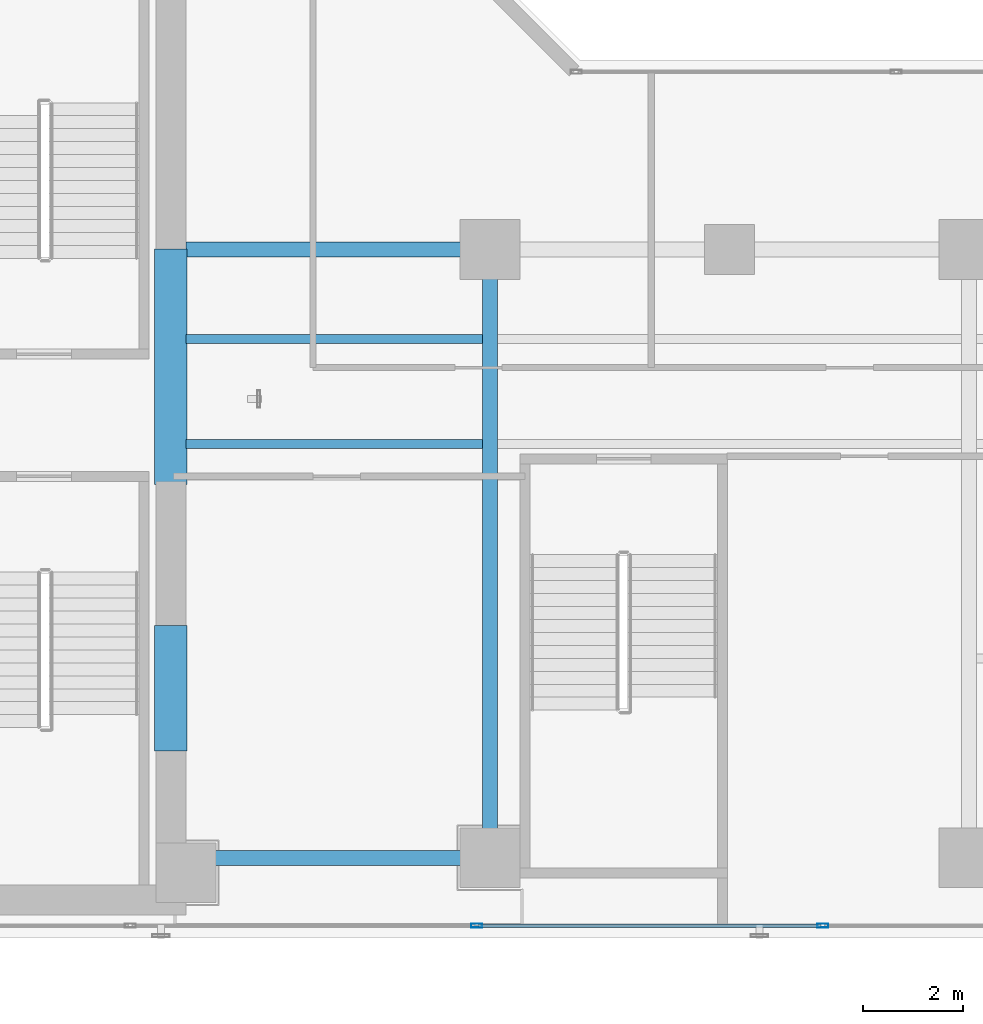
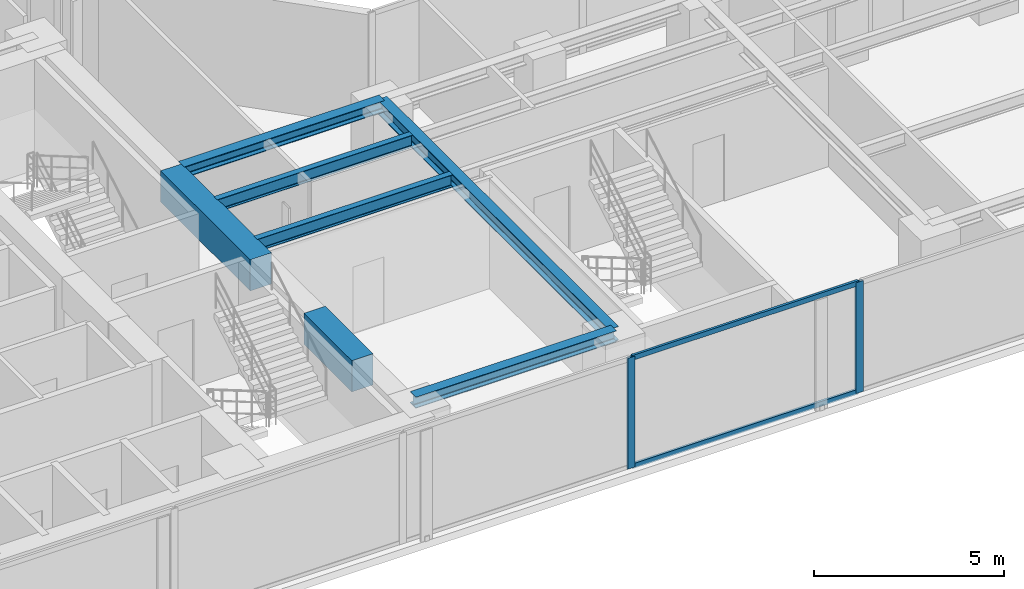
# One storey, part 4 of 26: 7 beams, 4 members, 1 element without a shape of its own.
"""IFC4 building model written with IfcOpenShell, lengths in metres."""

from ifc_helpers import new_model, si_unit, direction, frame, origin, origin_with_axes, origin_2d, place, context, subcontext, project, spatial, rectangle, hollow_rectangle, i_section, extrude, source, transform, mapped, material, layer, layer_set, material_profile, profile_set, type_object, element, aggregate, save


model = new_model("IFC4")

# Units and contexts
model_context = context("Model", 3, precision=1e-05, world=origin(), true_north=direction((0.0, 1.0)))
body_context = subcontext(model_context, "Body", "Model", "MODEL_VIEW")
ifc_project = project(units=[si_unit("LENGTHUNIT", "METRE"), si_unit("AREAUNIT", "SQUARE_METRE"), si_unit("VOLUMEUNIT", "CUBIC_METRE"), si_unit("PLANEANGLEUNIT", "RADIAN"), si_unit("MASSUNIT", "GRAM", prefix="KILO")], contexts=[model_context])

# Site, building, storey
site_placement = place(None, origin())
site = spatial("IfcSite", under=ifc_project, at=site_placement, CompositionType="ELEMENT")
building_placement = place(site_placement, origin())
building = spatial("IfcBuilding", under=site, at=building_placement, Name="Kolvaren Waterfront Exchange", CompositionType="ELEMENT")
storey_placement = place(building_placement, frame((0.0, 0.0, 180.39990234375)))
storey = spatial("IfcBuildingStorey", under=building, at=storey_placement, Name="L46", CompositionType="ELEMENT", Elevation=180.39990234375)

# Beams
ifc_material_1 = material(Name="Steel S355", Category="steel")
ifc_material_profile_1 = material_profile(ifc_material_1, i_section(OverallWidth=0.300048828125, OverallDepth=0.360107421875, WebThickness=0.012451171875, FlangeThickness=0.0224609375, FilletRadius=0.027099609375, at=origin_2d()), Name="HEB360")
ifc_profile_set_1 = profile_set([ifc_material_profile_1], Name="Steel S355")
beam_type_1 = type_object("IfcBeamType", Name="STR-BM-HEB360", PredefinedType="SPANDREL", material=ifc_profile_set_1)
for number, where, z_axis, x_axis, name in (
    (1, (21.10009765625, 5.199951171875, 3.380126953125), (1.0, 0.0, 0.0), (0.0, 1.0, 0.0), "L46 east-arm spandrel S1"),
    (2, (21.10009765625, 17.39990234375, 3.380126953125), (1.0, 0.0, 0.0), (0.0, 1.0, 0.0), "L46 east-arm spandrel N1"),
):
    element("IfcBeam", number, at=place(storey_placement, frame(where, z_axis=z_axis, x_axis=x_axis)), inside=storey, type_object=beam_type_1, Name=name, PredefinedType="SPANDREL", context=body_context, shape_type="SweptSolid", body=[
        extrude(i_section(OverallWidth=0.300048828125, OverallDepth=0.360107421875, WebThickness=0.012451171875, FlangeThickness=0.0224609375, FilletRadius=0.027099609375, at=origin_2d()), origin(), (0.0, 0.0, 1.0), 6.099853515625),
    ])
ifc_material_profile_2 = material_profile(ifc_material_1, i_section(OverallWidth=0.300048828125, OverallDepth=0.449951171875, WebThickness=0.013916015625, FlangeThickness=0.02587890625, FilletRadius=0.027099609375, at=origin_2d()), Name="HEB450")
ifc_profile_set_2 = profile_set([ifc_material_profile_2], Name="Steel S355")
beam_type_2 = type_object("IfcBeamType", Name="STR-BM-HEB450", PredefinedType="BEAM", material=ifc_profile_set_2)
beam_1_placement = place(storey_placement, frame((27.199951171875, 5.199951171875, 3.335205078125), z_axis=(0.0, 1.0, 0.0), x_axis=(-1.0, 0.0, 0.0)))
element("IfcBeam", 3, at=beam_1_placement, inside=storey, type_object=beam_type_2, Name="L46 east-arm transverse girder X27", PredefinedType="BEAM", context=body_context, shape_type="SweptSolid", body=[
    extrude(i_section(OverallWidth=0.300048828125, OverallDepth=0.449951171875, WebThickness=0.013916015625, FlangeThickness=0.02587890625, FilletRadius=0.027099609375, at=origin_2d()), origin(), (0.0, 0.0, 1.0), 12.199951171875),
])
ifc_material_profile_3 = material_profile(ifc_material_1, i_section(OverallWidth=0.179931640625, OverallDepth=0.39990234375, WebThickness=0.008544921875, FlangeThickness=0.013427734375, FilletRadius=0.02099609375, at=origin_2d()), Name="IPE400")
ifc_profile_set_3 = profile_set([ifc_material_profile_3], Name="Steel S355")
beam_type_3 = type_object("IfcBeamType", Name="STR-BM-IPE400", PredefinedType="JOIST", material=ifc_profile_set_3)
for number, where, z_axis, x_axis, name in (
    (4, (21.10009765625, 13.5, 3.360107421875), (1.0, 0.0, 0.0), (0.0, 1.0, 0.0), "L46 east-arm composite joist 1A"),
    (5, (21.10009765625, 15.60009765625, 3.360107421875), (1.0, 0.0, 0.0), (0.0, 1.0, 0.0), "L46 east-arm composite joist 1C"),
):
    element("IfcBeam", number, at=place(storey_placement, frame(where, z_axis=z_axis, x_axis=x_axis)), inside=storey, type_object=beam_type_3, Name=name, PredefinedType="JOIST", context=body_context, shape_type="SweptSolid", body=[
        extrude(i_section(OverallWidth=0.179931640625, OverallDepth=0.39990234375, WebThickness=0.008544921875, FlangeThickness=0.013427734375, FilletRadius=0.02099609375, at=origin_2d()), origin(), (0.0, 0.0, 1.0), 5.947998046875),
    ])
ifc_material_2 = material(Name="Concrete C60/75", Category="concrete")
ifc_material_profile_4 = material_profile(ifc_material_2, rectangle(XDim=0.64990234375, YDim=1.0, at=origin_2d()), Name="RC-CB-1000x650")
ifc_profile_set_4 = profile_set([ifc_material_profile_4], Name="Concrete C60/75")
beam_type_4 = type_object("IfcBeamType", Name="STR-CB-1000", PredefinedType="SPANDREL", material=ifc_profile_set_4)
beam_2_placement = place(storey_placement, frame((20.800048828125, 7.340087890625, 3.06005859375), z_axis=(0.0, 1.0, 0.0), x_axis=(-1.0, 0.0, 0.0)))
element("IfcBeam", 6, at=beam_2_placement, inside=storey, type_object=beam_type_4, Name="L46 core coupling beam 1", PredefinedType="SPANDREL", context=body_context, shape_type="SweptSolid", body=[
    extrude(rectangle(XDim=0.64990234375, YDim=1.0, at=origin_2d()), origin(), (0.0, 0.0, 1.0), 2.52001953125),
])
beam_3_placement = place(storey_placement, frame((20.800048828125, 12.68994140625, 3.06005859375), z_axis=(0.0, 1.0, 0.0), x_axis=(-1.0, 0.0, 0.0)))
element("IfcBeam", 7, at=beam_3_placement, inside=storey, type_object=beam_type_4, Name="L46 core coupling beam 2", PredefinedType="SPANDREL", context=body_context, shape_type="SweptSolid", body=[
    extrude(rectangle(XDim=0.64990234375, YDim=1.0, at=origin_2d()), origin(), (0.0, 0.0, 1.0), 4.719970703125),
])

# Curtain wall, members
ifc_material_3 = material(Name="Anodised bronze aluminium 6063-T6", Category="aluminium")
ifc_layer = layer(ifc_material_3, 0.219970703125, Name="Anodised bronze aluminium 6063-T6")
ifc_layer_set = layer_set([ifc_layer], Name="Anodised bronze aluminium 6063-T6")
curtain_wall_type = type_object("IfcCurtainWallType", Name="ARC-CW-SYS1", PredefinedType="USERDEFINED", material=ifc_layer_set)
curtain_wall_placement = place(storey_placement, origin())
curtain_wall = element("IfcCurtainWall", 8, at=curtain_wall_placement, inside=storey, type_object=curtain_wall_type, Name="L46 stick curtain wall CW1 (CW-L46-S)", ObjectType="STICK CURTAIN WALL", PredefinedType="USERDEFINED")
ifc_material_4 = material(Name="Anodised aluminium 6063-T6", Category="aluminium")
ifc_material_profile_5 = material_profile(ifc_material_4, hollow_rectangle(XDim=0.080078125, YDim=0.219970703125, WallThickness=0.0048828125, at=origin_2d()), Name="ALU-MUL-220x80x5")
ifc_profile_set_5 = profile_set([ifc_material_profile_5], Name="Anodised aluminium 6063-T6")
member_type_1 = type_object("IfcMemberType", Name="ARC-CWM-220", PredefinedType="MULLION", material=ifc_profile_set_5)
shared_shape_1 = source(origin_with_axes(), body_context, "Body", "SweptSolid", [
    extrude(hollow_rectangle(XDim=0.080078125, YDim=0.219970703125, WallThickness=0.0048828125, at=origin_2d()), origin(), (0.0, 0.0, 1.0), 3.56005859375),
])
member_1_placement = place(storey_placement, frame((26.928466796875, 3.840087890625, 0.0), z_axis=(0.0, 0.0, 1.0), x_axis=(0.0, 1.0, 0.0)))
member_1 = element("IfcMember", 9, at=member_1_placement, type_object=member_type_1, Name="CW1 mullion 4", PredefinedType="MULLION", context=body_context, shape_type="MappedRepresentation", body=[
    mapped(shared_shape_1, transform((0.0, 0.0, 0.0), x_axis=(1.0, 0.0, 0.0), y_axis=(0.0, 1.0, 0.0), z_axis=(0.0, 0.0, 1.0), scale=1.0)),
])
member_2_placement = place(storey_placement, frame((33.871337890625, 3.840087890625, 0.0), z_axis=(0.0, 0.0, 1.0), x_axis=(0.0, 1.0, 0.0)))
member_2 = element("IfcMember", 10, at=member_2_placement, type_object=member_type_1, Name="CW1 mullion 5", PredefinedType="MULLION", context=body_context, shape_type="MappedRepresentation", body=[
    mapped(shared_shape_1, transform((0.0, 0.0, 0.0), x_axis=(1.0, 0.0, 0.0), y_axis=(0.0, 1.0, 0.0), z_axis=(0.0, 0.0, 1.0), scale=1.0)),
])
ifc_material_profile_6 = material_profile(ifc_material_4, hollow_rectangle(XDim=0.074951171875, YDim=0.159912109375, WallThickness=0.00439453125, at=origin_2d()), Name="ALU-TRN-160x75x4.5")
ifc_profile_set_6 = profile_set([ifc_material_profile_6], Name="Anodised aluminium 6063-T6")
member_type_2 = type_object("IfcMemberType", Name="ARC-CWT-160", PredefinedType="USERDEFINED", material=ifc_profile_set_6)
shared_shape_2 = source(origin_with_axes(), body_context, "Body", "SweptSolid", [
    extrude(hollow_rectangle(XDim=0.074951171875, YDim=0.159912109375, WallThickness=0.00439453125, at=origin_2d()), origin(), (0.0, 0.0, 1.0), 6.863037109375),
])
member_3_placement = place(storey_placement, frame((26.968505859375, 3.840087890625, 0.03759765625), z_axis=(1.0, 0.0, 0.0), x_axis=(0.0, 1.0, 0.0)))
member_3 = element("IfcMember", 11, at=member_3_placement, type_object=member_type_2, Name="CW1 transom 4.1", ObjectType="TRANSOM", PredefinedType="USERDEFINED", context=body_context, shape_type="MappedRepresentation", body=[
    mapped(shared_shape_2, transform((0.0, 0.0, 0.0), x_axis=(1.0, 0.0, 0.0), y_axis=(0.0, 1.0, 0.0), z_axis=(0.0, 0.0, 1.0), scale=1.0)),
])
member_4_placement = place(storey_placement, frame((26.968505859375, 3.840087890625, 3.522705078125), z_axis=(1.0, 0.0, 0.0), x_axis=(0.0, 1.0, 0.0)))
member_4 = element("IfcMember", 12, at=member_4_placement, type_object=member_type_2, Name="CW1 transom 4.2", ObjectType="TRANSOM", PredefinedType="USERDEFINED", context=body_context, shape_type="MappedRepresentation", body=[
    mapped(shared_shape_2, transform((0.0, 0.0, 0.0), x_axis=(1.0, 0.0, 0.0), y_axis=(0.0, 1.0, 0.0), z_axis=(0.0, 0.0, 1.0), scale=1.0)),
])
aggregate(curtain_wall, [member_1, member_2, member_3, member_4])

save(model, "model.ifc")
